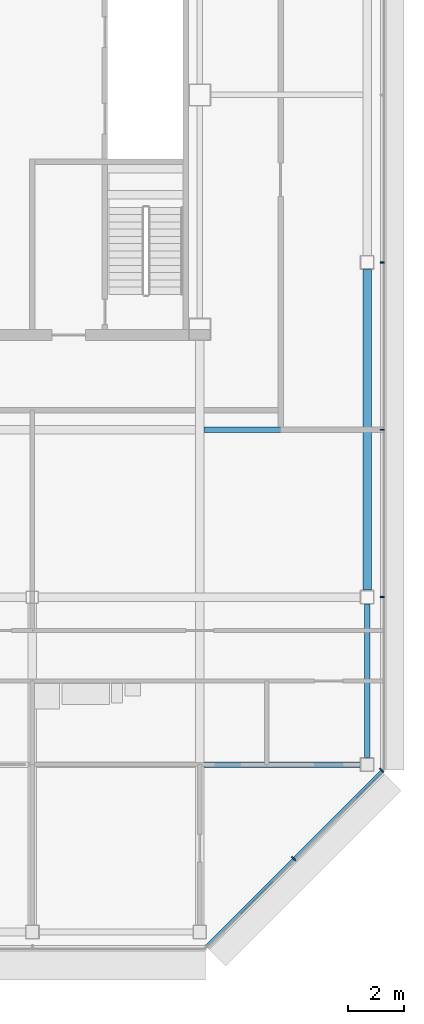
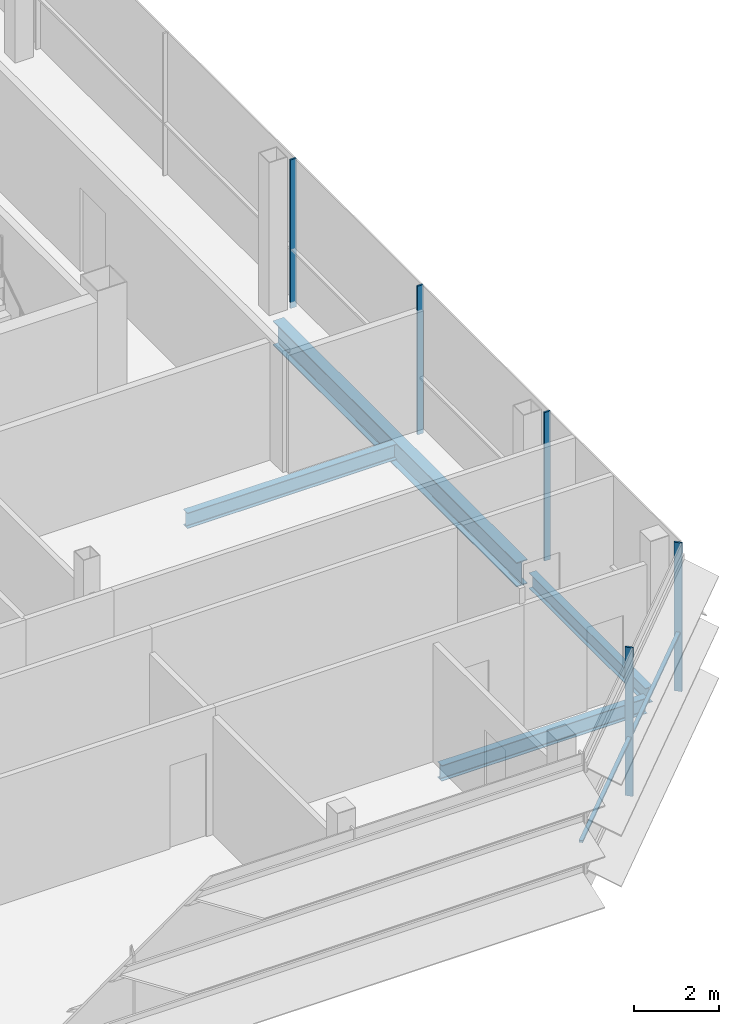
# One storey, part 17 of 29: 6 members, 4 beams, 2 elements without a shape of their own.
"""IFC4 building model written with IfcOpenShell, lengths in metres."""

import ifcopenshell
import ifcopenshell.guid

model = None  # the IFC model being written
_history = None  # IfcOwnerHistory: only IFC2X3 demands one
_inside = {}  # id of a spatial element -> (the spatial element, [elements in it])
_under = {}  # id of a project, library or spatial element -> (it, [spatial elements below it])
_declared = {}  # id of a project -> (the project, [libraries it declares])
_typed = {}  # id of a type object -> (the type object, [elements of that type])
_made_of = {}  # id of a material, layer set ... -> (it, [elements and type objects made of it])


def new_model(schema):
    """Start an empty IFC model of exactly this schema.

    Asked for "IFC4X3", IfcOpenShell would pick the latest addendum, in which some entities
    have other attributes; the version numbers below select the first issue.
    IFC2X3 requires an IfcOwnerHistory on every rooted entity: one is made here for all.
    """
    global model, _history
    if schema == "IFC4X3":
        model = ifcopenshell.file(schema_version=(4, 3, 0, 0))
    else:
        model = ifcopenshell.file(schema=schema)
    _inside.clear()
    _under.clear()
    _declared.clear()
    _typed.clear()
    _made_of.clear()
    _history = None
    if model.schema == "IFC2X3":
        org = make("IfcOrganization", Name="unknown")
        user = make(
            "IfcPersonAndOrganization",
            ThePerson=make("IfcPerson", FamilyName="unknown"),
            TheOrganization=org,
        )
        app = make(
            "IfcApplication",
            ApplicationDeveloper=org,
            Version="unknown",
            ApplicationFullName="unknown",
            ApplicationIdentifier="unknown",
        )
        _history = make(
            "IfcOwnerHistory",
            OwningUser=user,
            OwningApplication=app,
            ChangeAction="ADDED",
            CreationDate=0,
        )
    return model


def make(cls, **values):
    """One entity of the class cls with the attributes given. An attribute that is None is left unset."""
    return model.create_entity(
        cls, **{name: value for name, value in values.items() if value is not None}
    )


def rooted(cls, **values):
    """An entity with a GlobalId (a new one), such as an element, a storey or a relation."""
    return make(cls, GlobalId=ifcopenshell.guid.new(), OwnerHistory=_history, **values)


def si_unit(unit_type, name, prefix=None):
    """IfcSIUnit, for example si_unit("LENGTHUNIT", "METRE", prefix="MILLI")."""
    return make("IfcSIUnit", UnitType=unit_type, Prefix=prefix, Name=name)


def assignment(units):
    """IfcUnitAssignment: the units of a project."""
    return None if units is None else make("IfcUnitAssignment", Units=units)


def point(xyz):
    """IfcCartesianPoint."""
    return None if xyz is None else make("IfcCartesianPoint", Coordinates=xyz)


def direction(xyz):
    """IfcDirection."""
    return None if xyz is None else make("IfcDirection", DirectionRatios=xyz)


def frame(location, z_axis=None, x_axis=None):
    """IfcAxis2Placement3D, a coordinate frame: its origin and axes. An axis left out is left unset."""
    return make(
        "IfcAxis2Placement3D",
        Location=point(location),
        Axis=direction(z_axis),
        RefDirection=direction(x_axis),
    )


def frame_2d(location, x_axis=None):
    """IfcAxis2Placement2D, a coordinate frame in the plane: its origin and x axis."""
    return make(
        "IfcAxis2Placement2D", Location=point(location), RefDirection=direction(x_axis)
    )


def origin():
    """The frame at (0, 0, 0) with its axes left unset."""
    return frame((0.0, 0.0, 0.0))


def origin_2d():
    """The frame at (0, 0) in the plane with its x axis left unset."""
    return frame_2d((0.0, 0.0))


def place(relative_to, where):
    """IfcLocalPlacement: puts the frame where relative to a parent placement (None: the world)."""
    return make(
        "IfcLocalPlacement", PlacementRelTo=relative_to, RelativePlacement=where
    )


def context(
    kind, dimensions, precision=None, world=None, true_north=None, identifier=None
):
    """IfcGeometricRepresentationContext, for example the 3D "Model" context."""
    return make(
        "IfcGeometricRepresentationContext",
        ContextIdentifier=identifier,
        ContextType=kind,
        CoordinateSpaceDimension=dimensions,
        Precision=precision,
        WorldCoordinateSystem=world,
        TrueNorth=true_north,
    )


def subcontext(parent, identifier, kind, view, scale=None):
    """IfcGeometricRepresentationSubContext, for example "Body" below "Model"."""
    return make(
        "IfcGeometricRepresentationSubContext",
        ContextIdentifier=identifier,
        ContextType=kind,
        ParentContext=parent,
        TargetScale=scale,
        TargetView=view,
    )


def project(units=None, contexts=None):
    """IfcProject with its units and contexts."""
    return rooted(
        "IfcProject",
        Name="project",
        RepresentationContexts=contexts,
        UnitsInContext=assignment(units),
    )


def spatial(cls, under=None, at=None, **own):
    """A site, building, storey or space (cls), placed at a placement, below another one or the project."""
    s = rooted(cls, ObjectPlacement=at, **own)
    if under is not None:
        _under.setdefault(under.id(), (under, []))[1].append(s)
    return s


def profile(cls, at=None, kind="AREA", **sizes):
    """A parametric profile (cls). Its sizes go by their IFC names, for example OverallWidth=200.0."""
    return make(cls, ProfileType=kind, Position=at, **sizes)


def rectangle(**sizes):
    """IfcRectangleProfileDef."""
    return profile("IfcRectangleProfileDef", **sizes)


def i_section(**sizes):
    """IfcIShapeProfileDef."""
    return profile("IfcIShapeProfileDef", **sizes)


def extrude(swept, where, along, depth):
    """IfcExtrudedAreaSolid: the profile swept, set in the frame where, extruded along a direction by depth."""
    return make(
        "IfcExtrudedAreaSolid",
        SweptArea=swept,
        Position=where,
        ExtrudedDirection=direction(along),
        Depth=depth,
    )


def shape(context_of_items, identifier, shape_type, items):
    """IfcShapeRepresentation: the items that make up one representation, for example the "Body"."""
    return make(
        "IfcShapeRepresentation",
        ContextOfItems=context_of_items,
        RepresentationIdentifier=identifier,
        RepresentationType=shape_type,
        Items=items,
    )


def material(Name=None, Category=None):
    """IfcMaterial."""
    return make("IfcMaterial", Name=Name, Category=Category)


def material_profile(
    of_material, cross_section, Name=None, Category=None, Priority=None
):
    """IfcMaterialProfile: a cross section and its material."""
    return make(
        "IfcMaterialProfile",
        Name=Name,
        Material=of_material,
        Profile=cross_section,
        Priority=Priority,
        Category=Category,
    )


def profile_set(profiles, Name=None, composite=None):
    """IfcMaterialProfileSet."""
    return make(
        "IfcMaterialProfileSet",
        Name=Name,
        MaterialProfiles=profiles,
        CompositeProfile=composite,
    )


def made_of(thing, what):
    """Note that an element or type object is made of a material, layer set ...; save() writes the relation."""
    if what is not None:
        _made_of.setdefault(what.id(), (what, []))[1].append(thing)
    return thing


def type_object(cls, material=None, **own):
    """A type object (cls), such as IfcWallType, which elements share."""
    return made_of(rooted(cls, **own), material)


def element(
    cls,
    number,
    at=None,
    inside=None,
    cuts=None,
    type_object=None,
    material=None,
    context=None,
    identifier="Body",
    shape_type=None,
    held_by="IfcProductDefinitionShape",
    body=None,
    shapes=None,
    **own,
):
    """One element of the class cls, such as IfcWall. Its Tag is "e" and its number.

    at: its placement. inside: the storey or other place that contains it. cuts: it is an
    opening in that element (IfcRelVoidsElement). A single representation is given by context,
    identifier, shape_type and body (its items); several are given by shapes. held_by: the class
    of the entity that holds the representations. save() writes the other relations.
    """
    e = rooted(cls, Tag="e%d" % number, ObjectPlacement=at, **own)
    if body is not None:
        shapes = [shape(context, identifier, shape_type, body)]
    if shapes is not None:
        e.Representation = make(held_by, Representations=shapes)
    if inside is not None:
        _inside.setdefault(inside.id(), (inside, []))[1].append(e)
    if cuts is not None:
        rooted(
            "IfcRelVoidsElement", RelatingBuildingElement=cuts, RelatedOpeningElement=e
        )
    if type_object is not None:
        _typed.setdefault(type_object.id(), (type_object, []))[1].append(e)
    return made_of(e, material)


def aggregate(whole, parts):
    """IfcRelAggregates: a whole, such as a stair, and the parts it consists of."""
    return rooted("IfcRelAggregates", RelatingObject=whole, RelatedObjects=parts)


def save(model, path):
    """Write the relations noted so far, then the file.

    IfcRelAggregates (storeys below a building ...), IfcRelContainedInSpatialStructure (elements
    in a storey), IfcRelDefinesByType, IfcRelAssociatesMaterial and IfcRelDeclares: one each for
    every whole, place, type object, material and project.
    """
    for whole, parts in _under.values():
        aggregate(whole, parts)
    for where, things in _inside.values():
        rooted(
            "IfcRelContainedInSpatialStructure",
            RelatedElements=things,
            RelatingStructure=where,
        )
    for kind, things in _typed.values():
        rooted("IfcRelDefinesByType", RelatedObjects=things, RelatingType=kind)
    for what, things in _made_of.values():
        rooted("IfcRelAssociatesMaterial", RelatedObjects=things, RelatingMaterial=what)
    for by, libraries in _declared.values():
        rooted("IfcRelDeclares", RelatingContext=by, RelatedDefinitions=libraries)
    model.write(path)


model = new_model("IFC4")

# Units and contexts
model_context = context("Model", 3, precision=1e-05, world=origin(), true_north=direction((0.0, 1.0)))
body_context = subcontext(model_context, "Body", "Model", "MODEL_VIEW")
ifc_project = project(units=[si_unit("LENGTHUNIT", "METRE"), si_unit("AREAUNIT", "SQUARE_METRE"), si_unit("VOLUMEUNIT", "CUBIC_METRE"), si_unit("PLANEANGLEUNIT", "RADIAN"), si_unit("MASSUNIT", "GRAM", prefix="KILO")], contexts=[model_context])

# Site, building, storey
site_placement = place(None, origin())
site = spatial("IfcSite", under=ifc_project, at=site_placement, CompositionType="ELEMENT")
building_placement = place(site_placement, origin())
building = spatial("IfcBuilding", under=site, at=building_placement, Name="Sorahane Residences", CompositionType="ELEMENT")
storey_placement = place(building_placement, frame((0.0, 0.0, 326.800048828125)))
storey = spatial("IfcBuildingStorey", under=building, at=storey_placement, Name="L78", CompositionType="ELEMENT", Elevation=326.800048828125)

# Curtain wall, members
ifc_material_1 = material(Name="Dark low-e glass and black anodised aluminium", Category="aluminium")
curtain_wall_type_1 = type_object("IfcCurtainWallType", Name="Curtain wall CW-1 Typical unitised wall", PredefinedType="NOTDEFINED", material=ifc_material_1)
curtain_wall_1_placement = place(storey_placement, origin())
curtain_wall_1 = element("IfcCurtainWall", 1, at=curtain_wall_1_placement, inside=storey, type_object=curtain_wall_type_1, Name="CW-1 curtain wall L78 E1", PredefinedType="NOTDEFINED")
ifc_material_2 = material(Name="Black anodised aluminium", Category="aluminium")
ifc_material_profile_1 = material_profile(ifc_material_2, rectangle(XDim=0.159912109375, YDim=0.050048828125, at=origin_2d()), Name="Curtain wall mullion CW-1 black anodised aluminium 50x160")
ifc_profile_set_1 = profile_set([ifc_material_profile_1], Name="Black anodised aluminium")
member_type_1 = type_object("IfcMemberType", Name="Curtain wall mullion CW-1 black anodised aluminium 50x160", PredefinedType="MULLION", material=ifc_profile_set_1)
member_1_placement = place(storey_placement, frame((48.5400390625, 12.0, -0.179931640625), z_axis=(0.0, 0.0, 1.0), x_axis=(1.0, 0.0, 0.0)))
member_1 = element("IfcMember", 2, at=member_1_placement, type_object=member_type_1, Name="CW-1 mullion L78 E1.2", PredefinedType="MULLION", context=body_context, shape_type="SweptSolid", body=[
    extrude(rectangle(XDim=0.159912109375, YDim=0.050048828125, at=origin_2d()), origin(), (0.0, 0.0, 1.0), 4.27978515625),
])
member_2_placement = place(storey_placement, frame((48.5400390625, 18.0, -0.179931640625), z_axis=(0.0, 0.0, 1.0), x_axis=(1.0, 0.0, 0.0)))
member_2 = element("IfcMember", 3, at=member_2_placement, type_object=member_type_1, Name="CW-1 mullion L78 E1.3", PredefinedType="MULLION", context=body_context, shape_type="SweptSolid", body=[
    extrude(rectangle(XDim=0.159912109375, YDim=0.050048828125, at=origin_2d()), origin(), (0.0, 0.0, 1.0), 4.27978515625),
])
member_3_placement = place(storey_placement, frame((48.5400390625, 24.0, -0.179931640625), z_axis=(0.0, 0.0, 1.0), x_axis=(1.0, 0.0, 0.0)))
member_3 = element("IfcMember", 4, at=member_3_placement, type_object=member_type_1, Name="CW-1 mullion L78 E1.4", PredefinedType="MULLION", context=body_context, shape_type="SweptSolid", body=[
    extrude(rectangle(XDim=0.159912109375, YDim=0.050048828125, at=origin_2d()), origin(), (0.0, 0.0, 1.0), 4.27978515625),
])
aggregate(curtain_wall_1, [member_1, member_2, member_3])

ifc_material_3 = material(Name="Dark low-e glass and black anodised aluminium", Category="aluminium")
curtain_wall_type_2 = type_object("IfcCurtainWallType", Name="Curtain wall CW-2 Chamfer unitised wall", PredefinedType="NOTDEFINED", material=ifc_material_3)
curtain_wall_2_placement = place(storey_placement, origin())
curtain_wall_2 = element("IfcCurtainWall", 5, at=curtain_wall_2_placement, inside=storey, type_object=curtain_wall_type_2, Name="CW-2 curtain wall L78 SE1", PredefinedType="NOTDEFINED")
ifc_material_4 = material(Name="Black anodised aluminium", Category="aluminium")
ifc_material_profile_2 = material_profile(ifc_material_4, rectangle(XDim=0.199951171875, YDim=0.050048828125, at=origin_2d()), Name="Curtain wall mullion CW-2 black anodised aluminium 50x200")
ifc_profile_set_2 = profile_set([ifc_material_profile_2], Name="Black anodised aluminium")
member_type_2 = type_object("IfcMemberType", Name="Curtain wall mullion CW-2 black anodised aluminium 50x200", PredefinedType="MULLION", material=ifc_profile_set_2)
member_4_placement = place(storey_placement, frame((45.36767578125, 2.63232421875, -0.179931640625), z_axis=(0.0, 0.0, 1.0), x_axis=(0.707106781187, -0.707106781187, 0.0)))
member_4 = element("IfcMember", 6, at=member_4_placement, type_object=member_type_2, Name="CW-2 mullion L78 SE1.2", PredefinedType="MULLION", context=body_context, shape_type="SweptSolid", body=[
    extrude(rectangle(XDim=0.199951171875, YDim=0.050048828125, at=origin_2d()), origin(), (0.0, 0.0, 1.0), 4.27978515625),
])
member_5_placement = place(storey_placement, frame((48.525634765625, 5.790283203125, -0.179931640625), z_axis=(0.0, 0.0, 1.0), x_axis=(0.707106781187, -0.707106781187, 0.0)))
member_5 = element("IfcMember", 7, at=member_5_placement, type_object=member_type_2, Name="CW-2 mullion L78 SE1.3", PredefinedType="MULLION", context=body_context, shape_type="SweptSolid", body=[
    extrude(rectangle(XDim=0.199951171875, YDim=0.050048828125, at=origin_2d()), origin(), (0.0, 0.0, 1.0), 4.27978515625),
])
ifc_material_5 = material(Name="Black anodised aluminium", Category="aluminium")
ifc_material_profile_3 = material_profile(ifc_material_5, rectangle(XDim=0.10009765625, YDim=0.06005859375, at=origin_2d()), Name="Curtain wall transom CW-2 black anodised aluminium 60x100")
ifc_profile_set_3 = profile_set([ifc_material_profile_3], Name="Black anodised aluminium")
member_type_3 = type_object("IfcMemberType", Name="Curtain wall transom CW-2 black anodised aluminium 60x100", PredefinedType="USERDEFINED", material=ifc_profile_set_3)
member_6_placement = place(storey_placement, frame((42.234375, -0.51513671875, 1.5), z_axis=(0.707106781187, 0.707106781187, 0.0), x_axis=(-0.707106781187, 0.707106781187, 0.0)))
member_6 = element("IfcMember", 8, at=member_6_placement, type_object=member_type_3, Name="CW-2 transom L78 SE1", ObjectType="TRANSOM", PredefinedType="USERDEFINED", context=body_context, shape_type="SweptSolid", body=[
    extrude(rectangle(XDim=0.10009765625, YDim=0.06005859375, at=origin_2d()), origin(), (0.0, 0.0, 1.0), 8.88232421875),
])
aggregate(curtain_wall_2, [member_4, member_5, member_6])

# Beams
ifc_material_6 = material(Name="Steel Q355B", Category="steel")
ifc_material_profile_4 = material_profile(ifc_material_6, i_section(OverallWidth=0.199951171875, OverallDepth=0.449951171875, WebThickness=0.009033203125, FlangeThickness=0.013916015625, FilletRadius=0.02001953125, at=origin_2d()), Name="HN 450x200x9x14")
ifc_profile_set_4 = profile_set([ifc_material_profile_4], Name="Steel Q355B")
beam_type_1 = type_object("IfcBeamType", Name="Steel floor beam HN 450x200x9x14 Q355B", PredefinedType="BEAM", material=ifc_profile_set_4)
beam_1_placement = place(storey_placement, frame((48.0, 6.25, -0.405029296875), z_axis=(0.0, 1.0, 0.0), x_axis=(-1.0, 0.0, 0.0)))
element("IfcBeam", 9, at=beam_1_placement, inside=storey, type_object=beam_type_1, Name="Beam L78 062", PredefinedType="BEAM", context=body_context, shape_type="SweptSolid", body=[
    extrude(i_section(OverallWidth=0.199951171875, OverallDepth=0.449951171875, WebThickness=0.009033203125, FlangeThickness=0.013916015625, FilletRadius=0.02001953125, at=origin_2d()), origin(), (0.0, 0.0, 1.0), 5.5),
])
beam_2_placement = place(storey_placement, frame((42.14990234375, 6.0, -0.405029296875), z_axis=(1.0, 0.0, 0.0), x_axis=(0.0, 1.0, 0.0)))
element("IfcBeam", 10, at=beam_2_placement, inside=storey, type_object=beam_type_1, Name="Beam L78 075", PredefinedType="BEAM", context=body_context, shape_type="SweptSolid", body=[
    extrude(i_section(OverallWidth=0.199951171875, OverallDepth=0.449951171875, WebThickness=0.009033203125, FlangeThickness=0.013916015625, FilletRadius=0.02001953125, at=origin_2d()), origin(), (0.0, 0.0, 1.0), 5.60009765625),
])
beam_3_placement = place(storey_placement, frame((42.14990234375, 18.0, -0.405029296875), z_axis=(1.0, 0.0, 0.0), x_axis=(0.0, 1.0, 0.0)))
element("IfcBeam", 11, at=beam_3_placement, inside=storey, type_object=beam_type_1, Name="Beam L78 082", PredefinedType="BEAM", context=body_context, shape_type="SweptSolid", body=[
    extrude(i_section(OverallWidth=0.199951171875, OverallDepth=0.449951171875, WebThickness=0.009033203125, FlangeThickness=0.013916015625, FilletRadius=0.02001953125, at=origin_2d()), origin(), (0.0, 0.0, 1.0), 5.7001953125),
])
ifc_material_7 = material(Name="Steel Q355B", Category="steel")
ifc_material_profile_5 = material_profile(ifc_material_7, i_section(OverallWidth=0.300048828125, OverallDepth=0.699951171875, WebThickness=0.012939453125, FlangeThickness=0.02392578125, FilletRadius=0.028076171875, at=origin_2d()), Name="HN 700x300x13x24")
ifc_profile_set_5 = profile_set([ifc_material_profile_5], Name="Steel Q355B")
beam_type_2 = type_object("IfcBeamType", Name="Steel floor beam HN 700x300x13x24 Q355B", PredefinedType="BEAM", material=ifc_profile_set_5)
beam_4_placement = place(storey_placement, frame((48.0, 12.25, -0.530029296875), z_axis=(0.0, 1.0, 0.0), x_axis=(-1.0, 0.0, 0.0)))
element("IfcBeam", 12, at=beam_4_placement, inside=storey, type_object=beam_type_2, Name="Beam L78 063", PredefinedType="BEAM", context=body_context, shape_type="SweptSolid", body=[
    extrude(i_section(OverallWidth=0.300048828125, OverallDepth=0.699951171875, WebThickness=0.012939453125, FlangeThickness=0.02392578125, FilletRadius=0.028076171875, at=origin_2d()), origin(), (0.0, 0.0, 1.0), 11.5),
])

save(model, "model.ifc")
